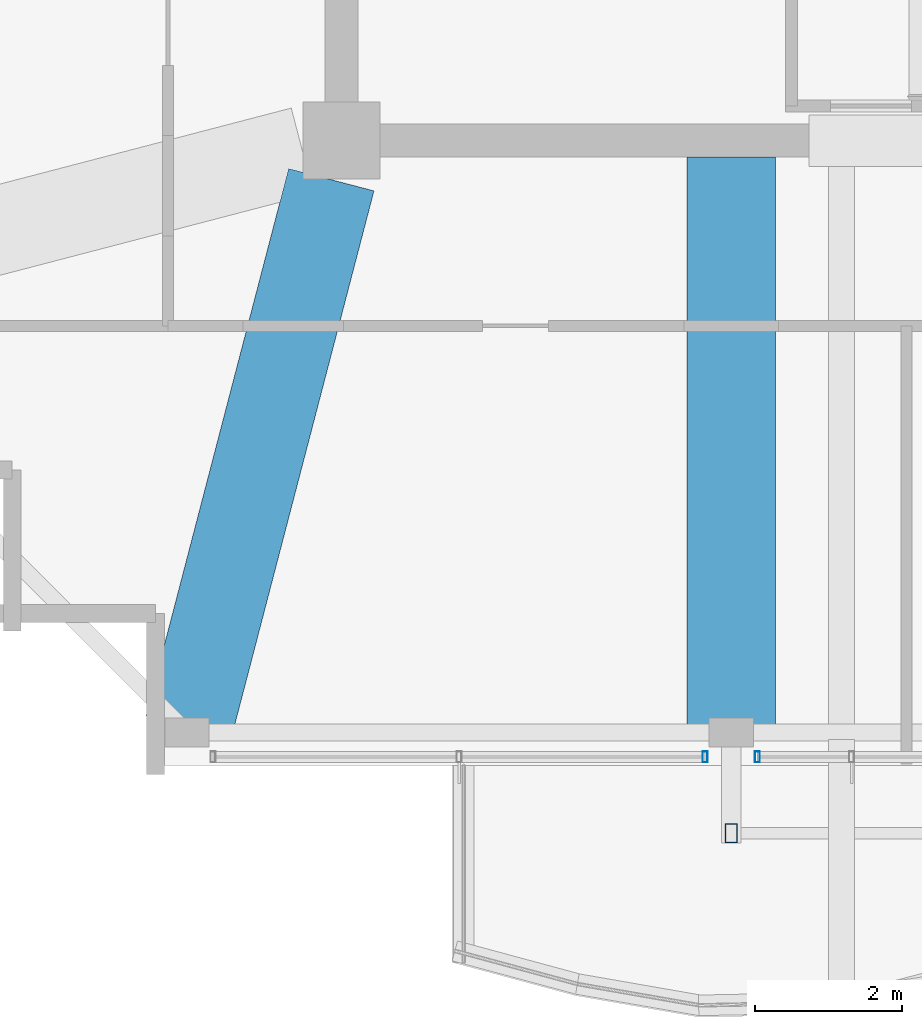
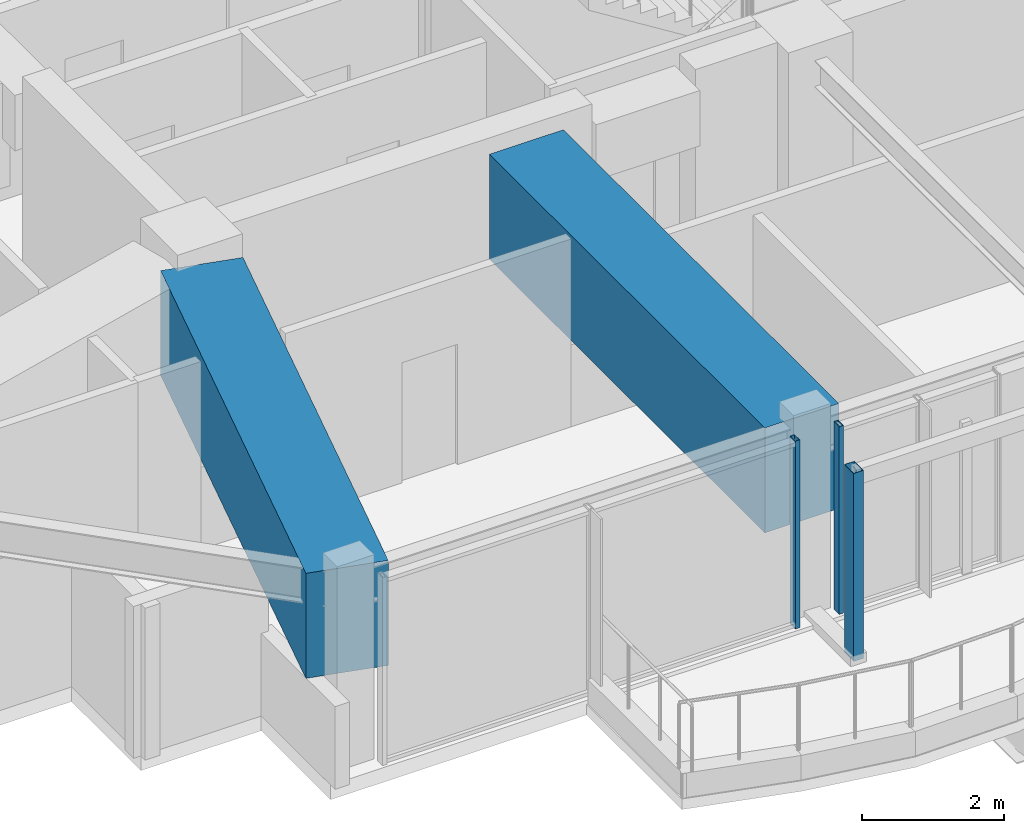
# One storey, part 3 of 30: 3 members, 2 beams, 2 elements without a shape of their own.
"""IFC4 building model written with IfcOpenShell, lengths in metres."""

import ifcopenshell
import ifcopenshell.guid

model = None  # the IFC model being written
_history = None  # IfcOwnerHistory: only IFC2X3 demands one
_inside = {}  # id of a spatial element -> (the spatial element, [elements in it])
_under = {}  # id of a project, library or spatial element -> (it, [spatial elements below it])
_declared = {}  # id of a project -> (the project, [libraries it declares])
_typed = {}  # id of a type object -> (the type object, [elements of that type])
_made_of = {}  # id of a material, layer set ... -> (it, [elements and type objects made of it])


def new_model(schema):
    """Start an empty IFC model of exactly this schema.

    Asked for "IFC4X3", IfcOpenShell would pick the latest addendum, in which some entities
    have other attributes; the version numbers below select the first issue.
    IFC2X3 requires an IfcOwnerHistory on every rooted entity: one is made here for all.
    """
    global model, _history
    if schema == "IFC4X3":
        model = ifcopenshell.file(schema_version=(4, 3, 0, 0))
    else:
        model = ifcopenshell.file(schema=schema)
    _inside.clear()
    _under.clear()
    _declared.clear()
    _typed.clear()
    _made_of.clear()
    _history = None
    if model.schema == "IFC2X3":
        org = make("IfcOrganization", Name="unknown")
        user = make(
            "IfcPersonAndOrganization",
            ThePerson=make("IfcPerson", FamilyName="unknown"),
            TheOrganization=org,
        )
        app = make(
            "IfcApplication",
            ApplicationDeveloper=org,
            Version="unknown",
            ApplicationFullName="unknown",
            ApplicationIdentifier="unknown",
        )
        _history = make(
            "IfcOwnerHistory",
            OwningUser=user,
            OwningApplication=app,
            ChangeAction="ADDED",
            CreationDate=0,
        )
    return model


def make(cls, **values):
    """One entity of the class cls with the attributes given. An attribute that is None is left unset."""
    return model.create_entity(
        cls, **{name: value for name, value in values.items() if value is not None}
    )


def rooted(cls, **values):
    """An entity with a GlobalId (a new one), such as an element, a storey or a relation."""
    return make(cls, GlobalId=ifcopenshell.guid.new(), OwnerHistory=_history, **values)


def si_unit(unit_type, name, prefix=None):
    """IfcSIUnit, for example si_unit("LENGTHUNIT", "METRE", prefix="MILLI")."""
    return make("IfcSIUnit", UnitType=unit_type, Prefix=prefix, Name=name)


def assignment(units):
    """IfcUnitAssignment: the units of a project."""
    return None if units is None else make("IfcUnitAssignment", Units=units)


def point(xyz):
    """IfcCartesianPoint."""
    return None if xyz is None else make("IfcCartesianPoint", Coordinates=xyz)


def direction(xyz):
    """IfcDirection."""
    return None if xyz is None else make("IfcDirection", DirectionRatios=xyz)


def frame(location, z_axis=None, x_axis=None):
    """IfcAxis2Placement3D, a coordinate frame: its origin and axes. An axis left out is left unset."""
    return make(
        "IfcAxis2Placement3D",
        Location=point(location),
        Axis=direction(z_axis),
        RefDirection=direction(x_axis),
    )


def frame_2d(location, x_axis=None):
    """IfcAxis2Placement2D, a coordinate frame in the plane: its origin and x axis."""
    return make(
        "IfcAxis2Placement2D", Location=point(location), RefDirection=direction(x_axis)
    )


def origin():
    """The frame at (0, 0, 0) with its axes left unset."""
    return frame((0.0, 0.0, 0.0))


def origin_2d():
    """The frame at (0, 0) in the plane with its x axis left unset."""
    return frame_2d((0.0, 0.0))


def place(relative_to, where):
    """IfcLocalPlacement: puts the frame where relative to a parent placement (None: the world)."""
    return make(
        "IfcLocalPlacement", PlacementRelTo=relative_to, RelativePlacement=where
    )


def context(
    kind, dimensions, precision=None, world=None, true_north=None, identifier=None
):
    """IfcGeometricRepresentationContext, for example the 3D "Model" context."""
    return make(
        "IfcGeometricRepresentationContext",
        ContextIdentifier=identifier,
        ContextType=kind,
        CoordinateSpaceDimension=dimensions,
        Precision=precision,
        WorldCoordinateSystem=world,
        TrueNorth=true_north,
    )


def subcontext(parent, identifier, kind, view, scale=None):
    """IfcGeometricRepresentationSubContext, for example "Body" below "Model"."""
    return make(
        "IfcGeometricRepresentationSubContext",
        ContextIdentifier=identifier,
        ContextType=kind,
        ParentContext=parent,
        TargetScale=scale,
        TargetView=view,
    )


def project(units=None, contexts=None):
    """IfcProject with its units and contexts."""
    return rooted(
        "IfcProject",
        Name="project",
        RepresentationContexts=contexts,
        UnitsInContext=assignment(units),
    )


def spatial(cls, under=None, at=None, **own):
    """A site, building, storey or space (cls), placed at a placement, below another one or the project."""
    s = rooted(cls, ObjectPlacement=at, **own)
    if under is not None:
        _under.setdefault(under.id(), (under, []))[1].append(s)
    return s


def profile(cls, at=None, kind="AREA", **sizes):
    """A parametric profile (cls). Its sizes go by their IFC names, for example OverallWidth=200.0."""
    return make(cls, ProfileType=kind, Position=at, **sizes)


def rectangle(**sizes):
    """IfcRectangleProfileDef."""
    return profile("IfcRectangleProfileDef", **sizes)


def hollow_rectangle(**sizes):
    """IfcRectangleHollowProfileDef."""
    return profile("IfcRectangleHollowProfileDef", **sizes)


def extrude(swept, where, along, depth):
    """IfcExtrudedAreaSolid: the profile swept, set in the frame where, extruded along a direction by depth."""
    return make(
        "IfcExtrudedAreaSolid",
        SweptArea=swept,
        Position=where,
        ExtrudedDirection=direction(along),
        Depth=depth,
    )


def shape(context_of_items, identifier, shape_type, items):
    """IfcShapeRepresentation: the items that make up one representation, for example the "Body"."""
    return make(
        "IfcShapeRepresentation",
        ContextOfItems=context_of_items,
        RepresentationIdentifier=identifier,
        RepresentationType=shape_type,
        Items=items,
    )


def material(Name=None, Category=None):
    """IfcMaterial."""
    return make("IfcMaterial", Name=Name, Category=Category)


def material_profile(
    of_material, cross_section, Name=None, Category=None, Priority=None
):
    """IfcMaterialProfile: a cross section and its material."""
    return make(
        "IfcMaterialProfile",
        Name=Name,
        Material=of_material,
        Profile=cross_section,
        Priority=Priority,
        Category=Category,
    )


def profile_set(profiles, Name=None, composite=None):
    """IfcMaterialProfileSet."""
    return make(
        "IfcMaterialProfileSet",
        Name=Name,
        MaterialProfiles=profiles,
        CompositeProfile=composite,
    )


def made_of(thing, what):
    """Note that an element or type object is made of a material, layer set ...; save() writes the relation."""
    if what is not None:
        _made_of.setdefault(what.id(), (what, []))[1].append(thing)
    return thing


def type_object(cls, material=None, **own):
    """A type object (cls), such as IfcWallType, which elements share."""
    return made_of(rooted(cls, **own), material)


def element(
    cls,
    number,
    at=None,
    inside=None,
    cuts=None,
    type_object=None,
    material=None,
    context=None,
    identifier="Body",
    shape_type=None,
    held_by="IfcProductDefinitionShape",
    body=None,
    shapes=None,
    **own,
):
    """One element of the class cls, such as IfcWall. Its Tag is "e" and its number.

    at: its placement. inside: the storey or other place that contains it. cuts: it is an
    opening in that element (IfcRelVoidsElement). A single representation is given by context,
    identifier, shape_type and body (its items); several are given by shapes. held_by: the class
    of the entity that holds the representations. save() writes the other relations.
    """
    e = rooted(cls, Tag="e%d" % number, ObjectPlacement=at, **own)
    if body is not None:
        shapes = [shape(context, identifier, shape_type, body)]
    if shapes is not None:
        e.Representation = make(held_by, Representations=shapes)
    if inside is not None:
        _inside.setdefault(inside.id(), (inside, []))[1].append(e)
    if cuts is not None:
        rooted(
            "IfcRelVoidsElement", RelatingBuildingElement=cuts, RelatedOpeningElement=e
        )
    if type_object is not None:
        _typed.setdefault(type_object.id(), (type_object, []))[1].append(e)
    return made_of(e, material)


def aggregate(whole, parts):
    """IfcRelAggregates: a whole, such as a stair, and the parts it consists of."""
    return rooted("IfcRelAggregates", RelatingObject=whole, RelatedObjects=parts)


def save(model, path):
    """Write the relations noted so far, then the file.

    IfcRelAggregates (storeys below a building ...), IfcRelContainedInSpatialStructure (elements
    in a storey), IfcRelDefinesByType, IfcRelAssociatesMaterial and IfcRelDeclares: one each for
    every whole, place, type object, material and project.
    """
    for whole, parts in _under.values():
        aggregate(whole, parts)
    for where, things in _inside.values():
        rooted(
            "IfcRelContainedInSpatialStructure",
            RelatedElements=things,
            RelatingStructure=where,
        )
    for kind, things in _typed.values():
        rooted("IfcRelDefinesByType", RelatedObjects=things, RelatingType=kind)
    for what, things in _made_of.values():
        rooted("IfcRelAssociatesMaterial", RelatedObjects=things, RelatingMaterial=what)
    for by, libraries in _declared.values():
        rooted("IfcRelDeclares", RelatingContext=by, RelatedDefinitions=libraries)
    model.write(path)


model = new_model("IFC4")

# Units and contexts
model_context = context("Model", 3, precision=1e-05, world=origin(), true_north=direction((0.0, 1.0)))
body_context = subcontext(model_context, "Body", "Model", "MODEL_VIEW")
ifc_project = project(units=[si_unit("LENGTHUNIT", "METRE"), si_unit("AREAUNIT", "SQUARE_METRE"), si_unit("VOLUMEUNIT", "CUBIC_METRE"), si_unit("PLANEANGLEUNIT", "RADIAN"), si_unit("MASSUNIT", "GRAM", prefix="KILO")], contexts=[model_context])

# Site, building, storey
site_placement = place(None, origin())
site = spatial("IfcSite", under=ifc_project, at=site_placement, CompositionType="ELEMENT")
building_placement = place(site_placement, origin())
building = spatial("IfcBuilding", under=site, at=building_placement, Name="Kolvaren Belvedere", CompositionType="ELEMENT")
storey_placement = place(building_placement, frame((0.0, 0.0, 254.89990234375)))
storey = spatial("IfcBuildingStorey", under=building, at=storey_placement, Name="L74", CompositionType="ELEMENT", Elevation=254.89990234375)

# Beams
ifc_material_1 = material(Name="Concrete C50/60", Category="concrete")
ifc_material_profile_1 = material_profile(ifc_material_1, rectangle(XDim=1.199951171875, YDim=1.800048828125, at=origin_2d()), Name="RC 1200X1800")
ifc_profile_set_1 = profile_set([ifc_material_profile_1], Name="Concrete C50/60")
beam_type = type_object("IfcBeamType", Name="BM-TG-1800", PredefinedType="BEAM", material=ifc_profile_set_1)
beam_1_placement = place(storey_placement, frame((-4.60009765625, -10.125, 2.320068359375), z_axis=(0.0, -1.0, 0.0), x_axis=(1.0, 0.0, 0.0)))
element("IfcBeam", 1, at=beam_1_placement, inside=storey, type_object=beam_type, Name="L74 South Radial Girder M", PredefinedType="BEAM", context=body_context, shape_type="SweptSolid", body=[
    extrude(rectangle(XDim=1.199951171875, YDim=1.800048828125, at=origin_2d()), origin(), (0.0, 0.0, 1.0), 7.735107421875),
])
beam_2_placement = place(storey_placement, frame((-10.038818359375, -10.43212890625, 2.320068359375), z_axis=(-0.252414142221, -0.967619295388, 0.0), x_axis=(0.967619295388, -0.252414142221, 0.0)))
element("IfcBeam", 2, at=beam_2_placement, inside=storey, type_object=beam_type, Name="L74 Corner Core-to-Perimeter Girder CC1-S1", PredefinedType="BEAM", context=body_context, shape_type="SweptSolid", body=[
    extrude(rectangle(XDim=1.199951171875, YDim=1.800048828125, at=origin_2d()), origin(), (0.0, 0.0, 1.0), 7.689453125),
])

# Curtain wall, member
ifc_material_2 = material(Name="Anodised pale-metal aluminium AA 6063-T6", Category="aluminium")
curtain_wall_type = type_object("IfcCurtainWallType", Name="CW-Z5-HIGH", PredefinedType="NOTDEFINED", material=ifc_material_2)
curtain_wall_1_placement = place(storey_placement, origin())
curtain_wall_1 = element("IfcCurtainWall", 3, at=curtain_wall_1_placement, inside=storey, type_object=curtain_wall_type, Name="L74 Unitised Curtain Wall FCW-L74-S2-B1", PredefinedType="NOTDEFINED")
ifc_material_3 = material(Name="Anodised pale-metal aluminium AA 6063-T6", Category="aluminium")
ifc_material_profile_2 = material_profile(ifc_material_3, hollow_rectangle(XDim=0.070068359375, YDim=0.14990234375, WallThickness=0.004150390625, at=origin_2d()), Name="ALU-MUL-150X70")
ifc_profile_set_2 = profile_set([ifc_material_profile_2], Name="Anodised pale-metal aluminium AA 6063-T6")
member_type_1 = type_object("IfcMemberType", Name="CW-MUL-150", PredefinedType="MULLION", material=ifc_profile_set_2)
member_1_placement = place(storey_placement, frame((-4.2451171875, -18.280029296875, 0.0), z_axis=(0.0, 0.0, 1.0), x_axis=(1.0, 0.0, 0.0)))
member_1 = element("IfcMember", 4, at=member_1_placement, type_object=member_type_1, Name="FCW-L74-S2-B1 Unitised Mullion 3", PredefinedType="MULLION", context=body_context, shape_type="SweptSolid", body=[
    extrude(hollow_rectangle(XDim=0.070068359375, YDim=0.14990234375, WallThickness=0.004150390625, at=origin_2d()), origin(), (0.0, 0.0, 1.0), 3.22021484375),
])
aggregate(curtain_wall_1, [member_1])

curtain_wall_2_placement = place(storey_placement, origin())
curtain_wall_2 = element("IfcCurtainWall", 5, at=curtain_wall_2_placement, inside=storey, type_object=curtain_wall_type, Name="L74 Unitised Curtain Wall FCW-L74-S2-B2", PredefinedType="NOTDEFINED")
member_2_placement = place(storey_placement, frame((-4.955078125, -18.280029296875, 0.0), z_axis=(0.0, 0.0, 1.0), x_axis=(1.0, 0.0, 0.0)))
member_2 = element("IfcMember", 6, at=member_2_placement, type_object=member_type_1, Name="FCW-L74-S2-B2 Unitised Mullion 1", PredefinedType="MULLION", context=body_context, shape_type="SweptSolid", body=[
    extrude(hollow_rectangle(XDim=0.070068359375, YDim=0.14990234375, WallThickness=0.004150390625, at=origin_2d()), origin(), (0.0, 0.0, 1.0), 3.22021484375),
])
aggregate(curtain_wall_2, [member_2])

# Member
ifc_material_4 = material(Name="Anodised pale-metal aluminium AA 6063-T6", Category="aluminium")
ifc_material_profile_3 = material_profile(ifc_material_4, hollow_rectangle(XDim=0.159912109375, YDim=0.260009765625, WallThickness=0.006591796875, at=origin_2d()), Name="ALU-PF-260X160")
ifc_profile_set_3 = profile_set([ifc_material_profile_3], Name="Anodised pale-metal aluminium AA 6063-T6")
member_type_2 = type_object("IfcMemberType", Name="PF-FRAME-260", PredefinedType="USERDEFINED", material=ifc_profile_set_3)
member_3_placement = place(storey_placement, frame((-4.60009765625, -19.320068359375, 0.0), z_axis=(0.0, 0.0, 1.0), x_axis=(1.0, 0.0, 0.0)))
element("IfcMember", 7, at=member_3_placement, inside=storey, type_object=member_type_2, Name="L74 Outboard Picture-Frame Vertical S2", ObjectType="PICTURE FRAME FIN", PredefinedType="USERDEFINED", context=body_context, shape_type="SweptSolid", body=[
    extrude(hollow_rectangle(XDim=0.159912109375, YDim=0.260009765625, WallThickness=0.006591796875, at=origin_2d()), origin(), (0.0, 0.0, 1.0), 3.22021484375),
])

save(model, "model.ifc")
